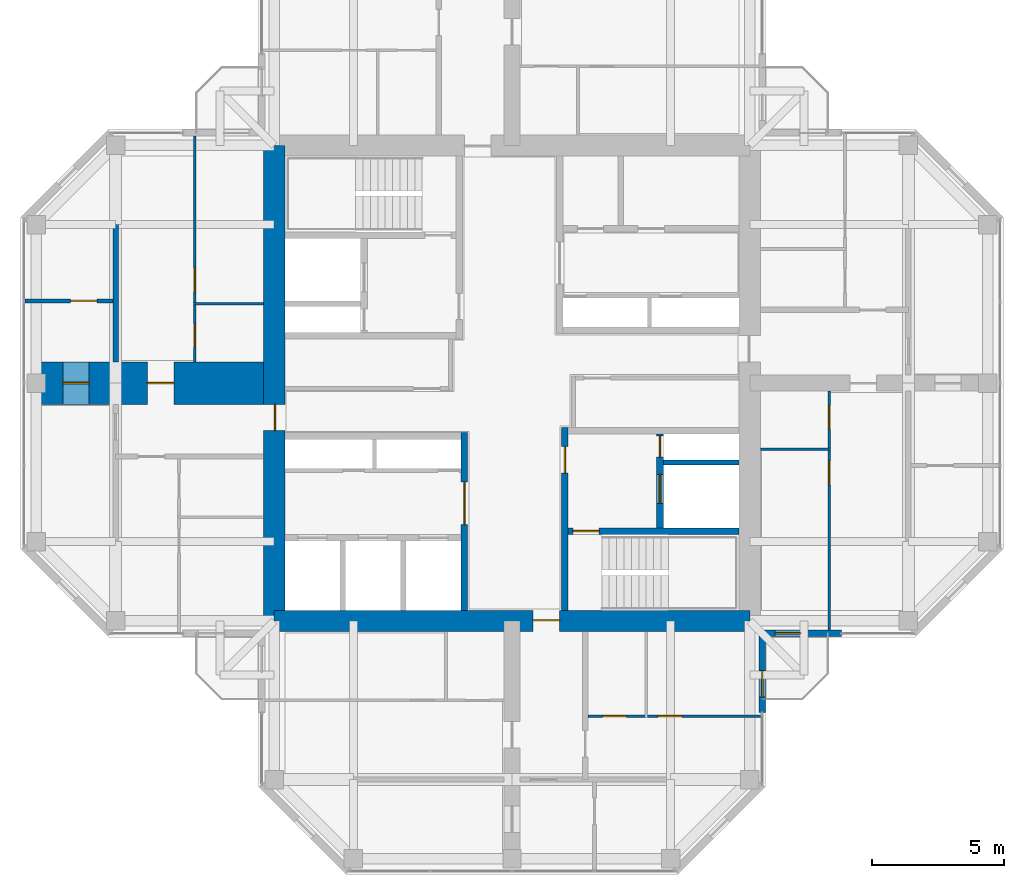
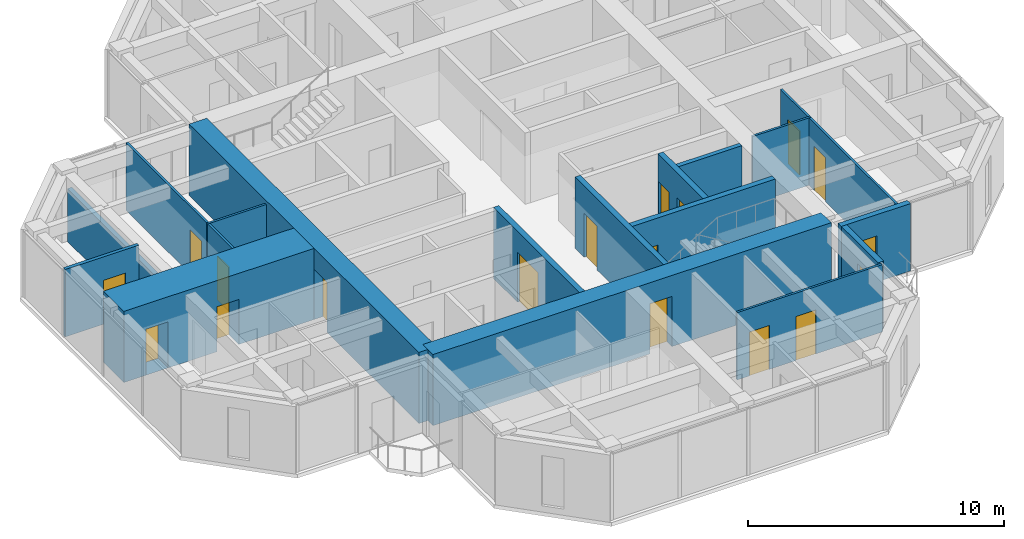
# One storey, part 9 of 13: 18 doors, 17 walls, 18 openings.
"""IFC4 building model written with IfcOpenShell, lengths in metres."""

from ifc_helpers import new_model, si_unit, direction, frame, frame_2d, origin, place, context, subcontext, project, spatial, rectangle, hollow_rectangle, extrude, material, layer, layer_set, constituent, constituent_set, type_object, element, fill, save


model = new_model("IFC4")

# Units and contexts
model_context = context("Model", 3, precision=1e-05, world=origin(), true_north=direction((0.0, 1.0)))
body_context = subcontext(model_context, "Body", "Model", "MODEL_VIEW")
ifc_project = project(units=[si_unit("LENGTHUNIT", "METRE"), si_unit("AREAUNIT", "SQUARE_METRE"), si_unit("VOLUMEUNIT", "CUBIC_METRE"), si_unit("PLANEANGLEUNIT", "RADIAN"), si_unit("MASSUNIT", "GRAM", prefix="KILO")], contexts=[model_context])

# Site, building, storey
site_placement = place(None, origin())
site = spatial("IfcSite", under=ifc_project, at=site_placement, CompositionType="ELEMENT")
building_placement = place(site_placement, origin())
building = spatial("IfcBuilding", under=site, at=building_placement, Name="Torre Cruceta", CompositionType="ELEMENT")
storey_placement = place(building_placement, frame((0.0, 0.0, 261.10009765625)))
storey = spatial("IfcBuildingStorey", under=building, at=storey_placement, Name="L67", CompositionType="ELEMENT", Elevation=261.10009765625)

# Wall
ifc_material_1 = material(Name="Water-resistant plasterboard on steel studs", Category="steel")
ifc_layer_1 = layer(ifc_material_1, 0.10009765625)
ifc_layer_set_1 = layer_set([ifc_layer_1], Name="Water-resistant plasterboard on steel studs")
wall_type_1 = type_object("IfcWallType", Name="BATHROOM WALL 100", PredefinedType="PARTITIONING", material=ifc_layer_set_1)
wall_1_placement = place(storey_placement, frame((9.39990234375, -2.5, 0.0), z_axis=(0.0, 0.0, 1.0), x_axis=(1.0, 0.0, 0.0)))
element("IfcWall", 1, at=wall_1_placement, inside=storey, type_object=wall_type_1, Name="PT4 L67-E-U1RBB", PredefinedType="PARTITIONING", context=body_context, shape_type="SweptSolid", body=[
    extrude(rectangle(XDim=2.650146484375, YDim=0.10009765625, at=frame_2d((1.3251953125, 0.0))), origin(), (0.0, 0.0, 1.0), 3.219970703125),
])

# Wall, openings, doors
wall_2_placement = place(storey_placement, frame((12.0, -9.344970703125, 0.0), z_axis=(0.0, 0.0, 1.0), x_axis=(0.0, 1.0, 0.0)))
wall_2 = element("IfcWall", 2, at=wall_2_placement, inside=storey, type_object=wall_type_1, Name="PT4 L67-E-U1RBS", PredefinedType="PARTITIONING", context=body_context, shape_type="SweptSolid", body=[
    extrude(rectangle(XDim=9.044921875, YDim=0.10009765625, at=frame_2d((4.5224609375, 0.0))), origin(), (0.0, 0.0, 1.0), 3.219970703125),
])
opening_1_placement = place(wall_2_placement, frame((5.4951171875, 0.0, 0.0)))
opening_1 = element("IfcOpeningElement", 3, at=opening_1_placement, cuts=wall_2, Name="Opening D7", PredefinedType="OPENING", context=body_context, shape_type="SweptSolid", body=[
    extrude(rectangle(XDim=0.89990234375, YDim=2.10009765625, at=frame_2d((0.449951171875, 1.050048828125))), frame((0.0, 0.06005859375, 0.0), z_axis=(0.0, -1.0, 0.0), x_axis=(1.0, 0.0, 0.0)), (0.0, 0.0, 1.0), 0.1201171875),
])
opening_2_placement = place(wall_2_placement, frame((7.594970703125, 0.0, 0.0)))
opening_2 = element("IfcOpeningElement", 4, at=opening_2_placement, cuts=wall_2, Name="Opening D7", PredefinedType="OPENING", context=body_context, shape_type="SweptSolid", body=[
    extrude(rectangle(XDim=0.89990234375, YDim=2.10009765625, at=frame_2d((0.449951171875, 1.050048828125))), frame((0.0, 0.06005859375, 0.0), z_axis=(0.0, -1.0, 0.0), x_axis=(1.0, 0.0, 0.0)), (0.0, 0.0, 1.0), 0.1201171875),
])
ifc_material_2 = material(Name="Timber door", Category="wood")
door_type_1 = type_object("IfcDoorType", Name="BATHROOM DOOR 900X2100", OperationType="SINGLE_SWING_LEFT", PredefinedType="DOOR", material=ifc_material_2)
door_1_placement = place(opening_1_placement, origin())
door_1 = element("IfcDoor", 5, at=door_1_placement, inside=storey, type_object=door_type_1, Name="D7 L67-E-U1RBS-D1", OperationType="SINGLE_SWING_RIGHT", OverallHeight=2.10009765625, OverallWidth=0.89990234375, PredefinedType="DOOR", context=body_context, shape_type="SweptSolid", body=[
    extrude(rectangle(XDim=0.89990234375, YDim=2.10009765625, at=frame_2d((0.449951171875, 1.050048828125))), frame((0.0, 0.02490234375, 0.0), z_axis=(0.0, -1.0, 0.0), x_axis=(1.0, 0.0, 0.0)), (0.0, 0.0, 1.0), 0.050048828125),
])
fill(opening_1, door_1)
door_2_placement = place(opening_2_placement, origin())
door_2 = element("IfcDoor", 6, at=door_2_placement, inside=storey, type_object=door_type_1, Name="D7 L67-E-U1RBS-D2", OperationType="SINGLE_SWING_RIGHT", OverallHeight=2.10009765625, OverallWidth=0.89990234375, PredefinedType="DOOR", context=body_context, shape_type="SweptSolid", body=[
    extrude(rectangle(XDim=0.89990234375, YDim=2.10009765625, at=frame_2d((0.449951171875, 1.050048828125))), frame((0.0, 0.02490234375, 0.0), z_axis=(0.0, -1.0, 0.0), x_axis=(1.0, 0.0, 0.0)), (0.0, 0.0, 1.0), 0.050048828125),
])
fill(opening_2, door_2)

wall_3_placement = place(storey_placement, frame((2.875, -12.60009765625, 0.0), z_axis=(0.0, 0.0, 1.0), x_axis=(1.0, 0.0, 0.0)))
wall_3 = element("IfcWall", 7, at=wall_3_placement, inside=storey, type_object=wall_type_1, Name="PT4 L67-S-U1LBS", PredefinedType="PARTITIONING", context=body_context, shape_type="SweptSolid", body=[
    extrude(rectangle(XDim=6.554931640625, YDim=0.10009765625, at=frame_2d((3.27734375, 0.0))), origin(), (0.0, 0.0, 1.0), 3.219970703125),
])
opening_3_placement = place(wall_3_placement, frame((0.550048828125, 0.0, 0.0)))
opening_3 = element("IfcOpeningElement", 8, at=opening_3_placement, cuts=wall_3, Name="Opening D7", PredefinedType="OPENING", context=body_context, shape_type="SweptSolid", body=[
    extrude(rectangle(XDim=0.89990234375, YDim=2.10009765625, at=frame_2d((0.449951171875, 1.050048828125))), frame((0.0, 0.06005859375, 0.0), z_axis=(0.0, -1.0, 0.0), x_axis=(1.0, 0.0, 0.0)), (0.0, 0.0, 1.0), 0.1201171875),
])
opening_4_placement = place(wall_3_placement, frame((2.64990234375, 0.0, 0.0)))
opening_4 = element("IfcOpeningElement", 9, at=opening_4_placement, cuts=wall_3, Name="Opening D7", PredefinedType="OPENING", context=body_context, shape_type="SweptSolid", body=[
    extrude(rectangle(XDim=0.89990234375, YDim=2.10009765625, at=frame_2d((0.449951171875, 1.050048828125))), frame((0.0, 0.06005859375, 0.0), z_axis=(0.0, -1.0, 0.0), x_axis=(1.0, 0.0, 0.0)), (0.0, 0.0, 1.0), 0.1201171875),
])
door_3_placement = place(opening_3_placement, origin())
door_3 = element("IfcDoor", 10, at=door_3_placement, inside=storey, type_object=door_type_1, Name="D7 L67-S-U1LBS-D1", OperationType="SINGLE_SWING_LEFT", OverallHeight=2.10009765625, OverallWidth=0.89990234375, PredefinedType="DOOR", context=body_context, shape_type="SweptSolid", body=[
    extrude(rectangle(XDim=0.89990234375, YDim=2.10009765625, at=frame_2d((0.449951171875, 1.050048828125))), frame((0.0, 0.02490234375, 0.0), z_axis=(0.0, -1.0, 0.0), x_axis=(1.0, 0.0, 0.0)), (0.0, 0.0, 1.0), 0.050048828125),
])
fill(opening_3, door_3)
door_4_placement = place(opening_4_placement, origin())
door_4 = element("IfcDoor", 11, at=door_4_placement, inside=storey, type_object=door_type_1, Name="D7 L67-S-U1LBS-D2", OperationType="SINGLE_SWING_LEFT", OverallHeight=2.10009765625, OverallWidth=0.89990234375, PredefinedType="DOOR", context=body_context, shape_type="SweptSolid", body=[
    extrude(rectangle(XDim=0.89990234375, YDim=2.10009765625, at=frame_2d((0.449951171875, 1.050048828125))), frame((0.0, 0.02490234375, 0.0), z_axis=(0.0, -1.0, 0.0), x_axis=(1.0, 0.0, 0.0)), (0.0, 0.0, 1.0), 0.050048828125),
])
fill(opening_4, door_4)

# Wall
wall_4_placement = place(storey_placement, frame((-9.39990234375, 3.0, 0.0), z_axis=(0.0, 0.0, 1.0), x_axis=(-1.0, 0.0, 0.0)))
element("IfcWall", 12, at=wall_4_placement, inside=storey, type_object=wall_type_1, Name="PT4 L67-W-U1RBB", PredefinedType="PARTITIONING", context=body_context, shape_type="SweptSolid", body=[
    extrude(rectangle(XDim=2.650146484375, YDim=0.10009765625, at=frame_2d((1.3251953125, 0.0))), origin(), (0.0, 0.0, 1.0), 3.219970703125),
])

# Wall, openings, doors
wall_5_placement = place(storey_placement, frame((-12.0, 9.344970703125, 0.0), z_axis=(0.0, 0.0, 1.0), x_axis=(0.0, -1.0, 0.0)))
wall_5 = element("IfcWall", 13, at=wall_5_placement, inside=storey, type_object=wall_type_1, Name="PT4 L67-W-U1RBS", PredefinedType="PARTITIONING", context=body_context, shape_type="SweptSolid", body=[
    extrude(rectangle(XDim=8.544921875, YDim=0.10009765625, at=frame_2d((4.2724609375, 0.0))), origin(), (0.0, 0.0, 1.0), 3.219970703125),
])
opening_5_placement = place(wall_5_placement, frame((4.9951171875, 0.0, 0.0)))
opening_5 = element("IfcOpeningElement", 14, at=opening_5_placement, cuts=wall_5, Name="Opening D7", PredefinedType="OPENING", context=body_context, shape_type="SweptSolid", body=[
    extrude(rectangle(XDim=0.89990234375, YDim=2.10009765625, at=frame_2d((0.449951171875, 1.050048828125))), frame((0.0, 0.06005859375, 0.0), z_axis=(0.0, -1.0, 0.0), x_axis=(1.0, 0.0, 0.0)), (0.0, 0.0, 1.0), 0.1201171875),
])
opening_6_placement = place(wall_5_placement, frame((7.094970703125, 0.0, 0.0)))
opening_6 = element("IfcOpeningElement", 15, at=opening_6_placement, cuts=wall_5, Name="Opening D7", PredefinedType="OPENING", context=body_context, shape_type="SweptSolid", body=[
    extrude(rectangle(XDim=0.89990234375, YDim=2.10009765625, at=frame_2d((0.449951171875, 1.050048828125))), frame((0.0, 0.06005859375, 0.0), z_axis=(0.0, -1.0, 0.0), x_axis=(1.0, 0.0, 0.0)), (0.0, 0.0, 1.0), 0.1201171875),
])
door_5_placement = place(opening_5_placement, origin())
door_5 = element("IfcDoor", 16, at=door_5_placement, inside=storey, type_object=door_type_1, Name="D7 L67-W-U1RBS-D1", OperationType="SINGLE_SWING_RIGHT", OverallHeight=2.10009765625, OverallWidth=0.89990234375, PredefinedType="DOOR", context=body_context, shape_type="SweptSolid", body=[
    extrude(rectangle(XDim=0.89990234375, YDim=2.10009765625, at=frame_2d((0.449951171875, 1.050048828125))), frame((0.0, 0.02490234375, 0.0), z_axis=(0.0, -1.0, 0.0), x_axis=(1.0, 0.0, 0.0)), (0.0, 0.0, 1.0), 0.050048828125),
])
fill(opening_5, door_5)
door_6_placement = place(opening_6_placement, origin())
door_6 = element("IfcDoor", 17, at=door_6_placement, inside=storey, type_object=door_type_1, Name="D7 L67-W-U1RBS-D2", OperationType="SINGLE_SWING_RIGHT", OverallHeight=2.10009765625, OverallWidth=0.89990234375, PredefinedType="DOOR", context=body_context, shape_type="SweptSolid", body=[
    extrude(rectangle(XDim=0.89990234375, YDim=2.10009765625, at=frame_2d((0.449951171875, 1.050048828125))), frame((0.0, 0.02490234375, 0.0), z_axis=(0.0, -1.0, 0.0), x_axis=(1.0, 0.0, 0.0)), (0.0, 0.0, 1.0), 0.050048828125),
])
fill(opening_6, door_6)

# Wall, opening, door
ifc_material_3 = material(Name="Concrete G60 (fck 60 MPa)", Category="concrete")
ifc_layer_2 = layer(ifc_material_3, 0.25)
ifc_layer_set_2 = layer_set([ifc_layer_2], Name="Concrete G60 (fck 60 MPa)")
wall_type_2 = type_object("IfcWallType", Name="CORE INNER WALL 250 G60", PredefinedType="SHEAR", material=ifc_layer_set_2)
wall_6_placement = place(storey_placement, frame((-1.800048828125, -1.875, 0.0), z_axis=(0.0, 0.0, 1.0), x_axis=(0.0, -1.0, 0.0)))
wall_6 = element("IfcWall", 18, at=wall_6_placement, inside=storey, type_object=wall_type_2, Name="CW4 L67 SW-CU", PredefinedType="SHEAR", context=body_context, shape_type="SweptSolid", body=[
    extrude(rectangle(XDim=6.72509765625, YDim=0.25, at=frame_2d((3.362548828125, 0.0))), origin(), (0.0, 0.0, 1.0), 3.39990234375),
])
opening_7_placement = place(wall_6_placement, frame((1.875, 0.0, 0.0)))
opening_7 = element("IfcOpeningElement", 19, at=opening_7_placement, cuts=wall_6, Name="Opening D8", PredefinedType="OPENING", context=body_context, shape_type="SweptSolid", body=[
    extrude(rectangle(XDim=1.60009765625, YDim=2.39990234375, at=frame_2d((0.800048828125, 1.199951171875))), frame((0.0, 0.135009765625, 0.0), z_axis=(0.0, -1.0, 0.0), x_axis=(1.0, 0.0, 0.0)), (0.0, 0.0, 1.0), 0.27001953125),
])
ifc_material_4 = material(Name="Steel DX51D", Category="steel")
ifc_constituent_1 = constituent(ifc_material_4, Name="Leaf and frame")
ifc_material_5 = material(Name="Polyester powder coating", Category="paint")
ifc_constituent_2 = constituent(ifc_material_5, Name="Finish")
ifc_material_6 = material(Name="Fire-resisting glass", Category="glass")
ifc_constituent_3 = constituent(ifc_material_6, Name="Vision panel")
ifc_constituent_set_1 = constituent_set(constituents=[ifc_constituent_1, ifc_constituent_2, ifc_constituent_3], Name="Steel fire door with vision panels")
door_type_2 = type_object("IfcDoorType", Name="LIFT LOBBY DOUBLE DOOR 1600X2400", OperationType="DOUBLE_DOOR_DOUBLE_SWING", PredefinedType="DOOR", material=ifc_constituent_set_1)
door_7_placement = place(opening_7_placement, origin())
door_7 = element("IfcDoor", 20, at=door_7_placement, inside=storey, type_object=door_type_2, Name="D8 L67 SW-LOBBY", OperationType="DOUBLE_DOOR_DOUBLE_SWING", OverallHeight=2.39990234375, OverallWidth=1.60009765625, PredefinedType="DOOR", context=body_context, shape_type="SweptSolid", body=[
    extrude(rectangle(XDim=1.60009765625, YDim=2.39990234375, at=frame_2d((0.800048828125, 1.199951171875))), frame((0.0, 0.02490234375, 0.0), z_axis=(0.0, -1.0, 0.0), x_axis=(1.0, 0.0, 0.0)), (0.0, 0.0, 1.0), 0.050048828125),
])
fill(opening_7, door_7)

wall_7_placement = place(storey_placement, frame((2.0, -1.675048828125, 0.0), z_axis=(0.0, 0.0, 1.0), x_axis=(0.0, -1.0, 0.0)))
wall_7 = element("IfcWall", 21, at=wall_7_placement, inside=storey, type_object=wall_type_2, Name="CW4 L67 SE-CU", PredefinedType="SHEAR", context=body_context, shape_type="SweptSolid", body=[
    extrude(rectangle(XDim=6.925048828125, YDim=0.25, at=frame_2d((3.46240234375, 0.0))), origin(), (0.0, 0.0, 1.0), 3.39990234375),
])
opening_8_placement = place(wall_7_placement, frame((0.72509765625, 0.0, 0.0)))
opening_8 = element("IfcOpeningElement", 22, at=opening_8_placement, cuts=wall_7, Name="Opening D3", PredefinedType="OPENING", context=body_context, shape_type="SweptSolid", body=[
    extrude(rectangle(XDim=1.0, YDim=2.10009765625, at=frame_2d((0.5, 1.050048828125))), frame((0.0, 0.135009765625, 0.0), z_axis=(0.0, -1.0, 0.0), x_axis=(1.0, 0.0, 0.0)), (0.0, 0.0, 1.0), 0.27001953125),
])
ifc_material_7 = material(Name="Steel DX51D", Category="steel")
ifc_constituent_4 = constituent(ifc_material_7, Name="Leaf and frame")
ifc_material_8 = material(Name="Polyester powder coating", Category="paint")
ifc_constituent_5 = constituent(ifc_material_8, Name="Finish")
ifc_constituent_set_2 = constituent_set(constituents=[ifc_constituent_4, ifc_constituent_5], Name="Steel fire door")
door_type_3 = type_object("IfcDoorType", Name="FIRE DOOR 1000X2100", OperationType="SINGLE_SWING_LEFT", PredefinedType="DOOR", material=ifc_constituent_set_2)
door_8_placement = place(opening_8_placement, origin())
door_8 = element("IfcDoor", 23, at=door_8_placement, inside=storey, type_object=door_type_3, Name="D3 L67 SE-LOBBY", OperationType="SINGLE_SWING_LEFT", OverallHeight=2.10009765625, OverallWidth=1.0, PredefinedType="DOOR", context=body_context, shape_type="SweptSolid", body=[
    extrude(rectangle(XDim=1.0, YDim=2.10009765625, at=frame_2d((0.5, 1.050048828125))), frame((0.0, 0.02490234375, 0.0), z_axis=(0.0, -1.0, 0.0), x_axis=(1.0, 0.0, 0.0)), (0.0, 0.0, 1.0), 0.050048828125),
])
fill(opening_8, door_8)

wall_8_placement = place(storey_placement, frame((2.125, -5.60009765625, 0.0), z_axis=(0.0, 0.0, 1.0), x_axis=(1.0, 0.0, 0.0)))
wall_8 = element("IfcWall", 24, at=wall_8_placement, inside=storey, type_object=wall_type_2, Name="CW4 L67 SE-SV", PredefinedType="SHEAR", context=body_context, shape_type="SweptSolid", body=[
    extrude(rectangle(XDim=6.47509765625, YDim=0.25, at=frame_2d((3.237548828125, 0.0))), origin(), (0.0, 0.0, 1.0), 3.39990234375),
])
opening_9_placement = place(wall_8_placement, frame((0.175048828125, 0.0, 0.0)))
opening_9 = element("IfcOpeningElement", 25, at=opening_9_placement, cuts=wall_8, Name="Opening D3", PredefinedType="OPENING", context=body_context, shape_type="SweptSolid", body=[
    extrude(rectangle(XDim=1.0, YDim=2.10009765625, at=frame_2d((0.5, 1.050048828125))), frame((0.0, 0.135009765625, 0.0), z_axis=(0.0, -1.0, 0.0), x_axis=(1.0, 0.0, 0.0)), (0.0, 0.0, 1.0), 0.27001953125),
])
door_9_placement = place(opening_9_placement, frame((1.0, 0.0, 0.0), z_axis=(0.0, 0.0, 1.0), x_axis=(-1.0, 0.0, 0.0)))
door_9 = element("IfcDoor", 26, at=door_9_placement, inside=storey, type_object=door_type_3, Name="D3 L67 SE-STAIR", OperationType="SINGLE_SWING_RIGHT", OverallHeight=2.10009765625, OverallWidth=1.0, PredefinedType="DOOR", context=body_context, shape_type="SweptSolid", body=[
    extrude(rectangle(XDim=1.0, YDim=2.10009765625, at=frame_2d((0.5, 1.050048828125))), frame((0.0, 0.025146484375, 0.0), z_axis=(0.0, -1.0, 0.0), x_axis=(1.0, 0.0, 0.0)), (0.0, 0.0, 1.0), 0.050048828125),
])
fill(opening_9, door_9)

# Wall, openings, doors
wall_9_placement = place(storey_placement, frame((5.60009765625, -1.925048828125, 0.0), z_axis=(0.0, 0.0, 1.0), x_axis=(0.0, -1.0, 0.0)))
wall_9 = element("IfcWall", 27, at=wall_9_placement, inside=storey, type_object=wall_type_2, Name="CW4 L67 SE-FU", PredefinedType="SHEAR", context=body_context, shape_type="SweptSolid", body=[
    extrude(rectangle(XDim=3.550048828125, YDim=0.25, at=frame_2d((1.77490234375, 0.0))), origin(), (0.0, 0.0, 1.0), 3.39990234375),
])
opening_10_placement = place(wall_9_placement, frame((1.52490234375, 0.0, 0.0)))
opening_10 = element("IfcOpeningElement", 28, at=opening_10_placement, cuts=wall_9, Name="Opening LD1", PredefinedType="OPENING", context=body_context, shape_type="SweptSolid", body=[
    extrude(rectangle(XDim=1.10009765625, YDim=2.199951171875, at=frame_2d((0.550048828125, 1.10009765625))), frame((0.0, 0.135009765625, 0.0), z_axis=(0.0, -1.0, 0.0), x_axis=(1.0, 0.0, 0.0)), (0.0, 0.0, 1.0), 0.27001953125),
])
opening_11_placement = place(wall_9_placement, frame((0.074951171875, 0.0, 0.0)))
opening_11 = element("IfcOpeningElement", 29, at=opening_11_placement, cuts=wall_9, Name="Opening D5", PredefinedType="OPENING", context=body_context, shape_type="SweptSolid", body=[
    extrude(rectangle(XDim=0.800048828125, YDim=2.10009765625, at=frame_2d((0.39990234375, 1.050048828125))), frame((0.0, 0.135009765625, 0.0), z_axis=(0.0, -1.0, 0.0), x_axis=(1.0, 0.0, 0.0)), (0.0, 0.0, 1.0), 0.27001953125),
])
ifc_material_9 = material(Name="Stainless steel 1.4401", Category="steel")
door_type_4 = type_object("IfcDoorType", Name="LIFT LANDING DOOR 1100X2200", OperationType="DOUBLE_DOOR_SLIDING", PredefinedType="DOOR", material=ifc_material_9)
door_10_placement = place(opening_10_placement, origin())
door_10 = element("IfcDoor", 30, at=door_10_placement, inside=storey, type_object=door_type_4, Name="Lift landing door FL2", OperationType="DOUBLE_DOOR_SLIDING", OverallHeight=2.199951171875, OverallWidth=1.10009765625, PredefinedType="DOOR", context=body_context, shape_type="SweptSolid", body=[
    extrude(rectangle(XDim=1.10009765625, YDim=2.199951171875, at=frame_2d((0.550048828125, 1.10009765625))), frame((0.0, 0.02490234375, 0.0), z_axis=(0.0, -1.0, 0.0), x_axis=(1.0, 0.0, 0.0)), (0.0, 0.0, 1.0), 0.050048828125),
])
fill(opening_10, door_10)
ifc_material_10 = material(Name="Steel DX51D", Category="steel")
ifc_constituent_6 = constituent(ifc_material_10, Name="Leaf and frame")
ifc_material_11 = material(Name="Polyester powder coating", Category="paint")
ifc_constituent_7 = constituent(ifc_material_11, Name="Finish")
ifc_constituent_set_3 = constituent_set(constituents=[ifc_constituent_6, ifc_constituent_7], Name="Steel fire door")
door_type_5 = type_object("IfcDoorType", Name="RISER ACCESS DOOR 800X2100", OperationType="SINGLE_SWING_LEFT", PredefinedType="DOOR", material=ifc_constituent_set_3)
door_11_placement = place(opening_11_placement, origin())
door_11 = element("IfcDoor", 31, at=door_11_placement, inside=storey, type_object=door_type_5, Name="D5 L67 SE-RISER", OperationType="SINGLE_SWING_LEFT", OverallHeight=2.10009765625, OverallWidth=0.800048828125, PredefinedType="DOOR", context=body_context, shape_type="SweptSolid", body=[
    extrude(rectangle(XDim=0.800048828125, YDim=2.10009765625, at=frame_2d((0.39990234375, 1.050048828125))), frame((0.0, 0.02490234375, 0.0), z_axis=(0.0, -1.0, 0.0), x_axis=(1.0, 0.0, 0.0)), (0.0, 0.0, 1.0), 0.050048828125),
])
fill(opening_11, door_11)

# Wall, opening, door
ifc_material_12 = material(Name="Concrete G60 (fck 60 MPa)", Category="concrete")
ifc_layer_3 = layer(ifc_material_12, 0.800048828125)
ifc_layer_set_3 = layer_set([ifc_layer_3], Name="Concrete G60 (fck 60 MPa)")
wall_type_3 = type_object("IfcWallType", Name="CORE WALL 800 G60", PredefinedType="SHEAR", material=ifc_layer_set_3)
wall_10_placement = place(storey_placement, frame((-9.0, -9.0, 0.0), z_axis=(0.0, 0.0, 1.0), x_axis=(1.0, 0.0, 0.0)))
wall_10 = element("IfcWall", 32, at=wall_10_placement, inside=storey, type_object=wall_type_3, Name="CW3 L67 CW-S", PredefinedType="SHEAR", context=body_context, shape_type="SweptSolid", body=[
    extrude(rectangle(XDim=18.0, YDim=0.800048828125, at=frame_2d((9.0, 0.0))), origin(), (0.0, 0.0, 1.0), 3.39990234375),
])
opening_12_placement = place(wall_10_placement, frame((9.800048828125, 0.0, 0.0)))
opening_12 = element("IfcOpeningElement", 33, at=opening_12_placement, cuts=wall_10, Name="Opening D4", PredefinedType="OPENING", context=body_context, shape_type="SweptSolid", body=[
    extrude(rectangle(XDim=1.0, YDim=2.39990234375, at=frame_2d((0.5, 1.199951171875))), frame((0.0, 0.409912109375, 0.0), z_axis=(0.0, -1.0, 0.0), x_axis=(1.0, 0.0, 0.0)), (0.0, 0.0, 1.0), 0.820068359375),
])
ifc_material_13 = material(Name="Steel DX51D", Category="steel")
ifc_constituent_8 = constituent(ifc_material_13, Name="Leaf and frame")
ifc_material_14 = material(Name="Polyester powder coating", Category="paint")
ifc_constituent_9 = constituent(ifc_material_14, Name="Finish")
ifc_constituent_set_4 = constituent_set(constituents=[ifc_constituent_8, ifc_constituent_9], Name="Steel fire door")
door_type_6 = type_object("IfcDoorType", Name="CORE ARM DOOR 1000X2400", OperationType="SINGLE_SWING_RIGHT", PredefinedType="DOOR", material=ifc_constituent_set_4)
door_12_placement = place(opening_12_placement, origin())
door_12 = element("IfcDoor", 34, at=door_12_placement, inside=storey, type_object=door_type_6, Name="D4 L67 CW-S", OperationType="SINGLE_SWING_RIGHT", OverallHeight=2.39990234375, OverallWidth=1.0, PredefinedType="DOOR", context=body_context, shape_type="SweptSolid", body=[
    extrude(rectangle(XDim=1.0, YDim=2.39990234375, at=frame_2d((0.5, 1.199951171875))), frame((0.0, 0.05517578125, 0.0), z_axis=(0.0, -1.0, 0.0), x_axis=(1.0, 0.0, 0.0)), (0.0, 0.0, 1.0), 0.050048828125),
])
fill(opening_12, door_12)

wall_11_placement = place(storey_placement, frame((-9.0, 9.0, 0.0), z_axis=(0.0, 0.0, 1.0), x_axis=(0.0, -1.0, 0.0)))
wall_11 = element("IfcWall", 35, at=wall_11_placement, inside=storey, type_object=wall_type_3, Name="CW3 L67 CW-W", PredefinedType="SHEAR", context=body_context, shape_type="SweptSolid", body=[
    extrude(rectangle(XDim=18.0, YDim=0.800048828125, at=frame_2d((9.0, 0.0))), origin(), (0.0, 0.0, 1.0), 3.39990234375),
])
opening_13_placement = place(wall_11_placement, frame((9.800048828125, 0.0, 0.0)))
opening_13 = element("IfcOpeningElement", 36, at=opening_13_placement, cuts=wall_11, Name="Opening D4", PredefinedType="OPENING", context=body_context, shape_type="SweptSolid", body=[
    extrude(rectangle(XDim=1.0, YDim=2.39990234375, at=frame_2d((0.5, 1.199951171875))), frame((0.0, 0.409912109375, 0.0), z_axis=(0.0, -1.0, 0.0), x_axis=(1.0, 0.0, 0.0)), (0.0, 0.0, 1.0), 0.820068359375),
])
door_13_placement = place(opening_13_placement, origin())
door_13 = element("IfcDoor", 37, at=door_13_placement, inside=storey, type_object=door_type_6, Name="D4 L67 CW-W", OperationType="SINGLE_SWING_RIGHT", OverallHeight=2.39990234375, OverallWidth=1.0, PredefinedType="DOOR", context=body_context, shape_type="SweptSolid", body=[
    extrude(rectangle(XDim=1.0, YDim=2.39990234375, at=frame_2d((0.5, 1.199951171875))), frame((0.0, 0.05517578125, 0.0), z_axis=(0.0, -1.0, 0.0), x_axis=(1.0, 0.0, 0.0)), (0.0, 0.0, 1.0), 0.050048828125),
])
fill(opening_13, door_13)

# Wall
ifc_material_15 = material(Name="Concrete G35 (fck 35 MPa)", Category="concrete")
ifc_layer_4 = layer(ifc_material_15, 0.199951171875)
ifc_layer_set_4 = layer_set([ifc_layer_4], Name="Concrete G35 (fck 35 MPa)")
wall_type_4 = type_object("IfcWallType", Name="LIFT SHAFT WALL 200", PredefinedType="PARTITIONING", material=ifc_layer_set_4)
wall_12_placement = place(storey_placement, frame((5.72509765625, -3.0, 0.0), z_axis=(0.0, 0.0, 1.0), x_axis=(1.0, 0.0, 0.0)))
element("IfcWall", 38, at=wall_12_placement, inside=storey, type_object=wall_type_4, Name="SW1 L67 SE-FR", PredefinedType="PARTITIONING", context=body_context, shape_type="SweptSolid", body=[
    extrude(rectangle(XDim=2.875, YDim=0.199951171875, at=frame_2d((1.4375, 0.0))), origin(), (0.0, 0.0, 1.0), 3.39990234375),
])

# Wall, opening, door
ifc_material_16 = material(Name="Plasterboard on steel studs", Category="steel")
ifc_layer_5 = layer(ifc_material_16, 0.14990234375)
ifc_layer_set_5 = layer_set([ifc_layer_5], Name="Plasterboard on steel studs")
wall_type_5 = type_object("IfcWallType", Name="PARTITION 150", PredefinedType="PARTITIONING", material=ifc_layer_set_5)
wall_13_placement = place(storey_placement, frame((-15.10009765625, 3.117919921875, 0.0), z_axis=(0.0, 0.0, 1.0), x_axis=(-1.0, 0.0, 0.0)))
wall_13 = element("IfcWall", 39, at=wall_13_placement, inside=storey, type_object=wall_type_5, Name="PT1 L67-W-END2X", PredefinedType="PARTITIONING", context=body_context, shape_type="SweptSolid", body=[
    extrude(rectangle(XDim=3.329833984375, YDim=0.14990234375, at=frame_2d((1.6650390625, 0.0))), origin(), (0.0, 0.0, 1.0), 3.219970703125),
])
opening_14_placement = place(wall_13_placement, frame((0.60009765625, 0.0, 0.0)))
opening_14 = element("IfcOpeningElement", 40, at=opening_14_placement, cuts=wall_13, Name="Opening D3", PredefinedType="OPENING", context=body_context, shape_type="SweptSolid", body=[
    extrude(rectangle(XDim=1.0, YDim=2.10009765625, at=frame_2d((0.5, 1.050048828125))), frame((0.0, 0.0849609375, 0.0), z_axis=(0.0, -1.0, 0.0), x_axis=(1.0, 0.0, 0.0)), (0.0, 0.0, 1.0), 0.169921875),
])
door_14_placement = place(opening_14_placement, origin())
door_14 = element("IfcDoor", 41, at=door_14_placement, inside=storey, type_object=door_type_3, Name="D3 L67-W-END2X-D1", OperationType="SINGLE_SWING_LEFT", OverallHeight=2.10009765625, OverallWidth=1.0, PredefinedType="DOOR", context=body_context, shape_type="SweptSolid", body=[
    extrude(rectangle(XDim=1.0, YDim=2.10009765625, at=frame_2d((0.5, 1.050048828125))), frame((0.0, 0.02490234375, 0.0), z_axis=(0.0, -1.0, 0.0), x_axis=(1.0, 0.0, 0.0)), (0.0, 0.0, 1.0), 0.050048828125),
])
fill(opening_14, door_14)

# Wall, openings, doors
ifc_material_17 = material(Name="Concrete G60 (fck 60 MPa)", Category="concrete")
ifc_layer_6 = layer(ifc_material_17, 1.60009765625)
ifc_layer_set_6 = layer_set([ifc_layer_6], Name="Concrete G60 (fck 60 MPa)")
wall_type_6 = type_object("IfcWallType", Name="SPINE WALL 1600 G60", PredefinedType="SHEAR", material=ifc_layer_set_6)
wall_14_placement = place(storey_placement, frame((-9.0, 0.0, 0.0), z_axis=(0.0, 0.0, 1.0), x_axis=(-1.0, 0.0, 0.0)))
wall_14 = element("IfcWall", 42, at=wall_14_placement, inside=storey, type_object=wall_type_6, Name="SW2 spine wall L67 W", PredefinedType="SHEAR", context=body_context, shape_type="SweptSolid", body=[
    extrude(rectangle(XDim=9.0, YDim=1.60009765625, at=frame_2d((4.5, 0.0))), origin(), (0.0, 0.0, 1.0), 3.39990234375),
])
opening_15_placement = place(wall_14_placement, frame((3.800048828125, 0.0, 0.0)))
opening_15 = element("IfcOpeningElement", 43, at=opening_15_placement, cuts=wall_14, Name="Opening D6", PredefinedType="OPENING", context=body_context, shape_type="SweptSolid", body=[
    extrude(rectangle(XDim=1.0, YDim=2.14990234375, at=frame_2d((0.5, 1.074951171875))), frame((0.0, 0.81005859375, 0.0), z_axis=(0.0, -1.0, 0.0), x_axis=(1.0, 0.0, 0.0)), (0.0, 0.0, 1.0), 1.6201171875),
])
opening_16_placement = place(wall_14_placement, frame((7.0, 0.0, 0.0)))
opening_16 = element("IfcOpeningElement", 44, at=opening_16_placement, cuts=wall_14, Name="Opening D14", PredefinedType="OPENING", context=body_context, shape_type="SweptSolid", body=[
    extrude(rectangle(XDim=1.0, YDim=2.199951171875, at=frame_2d((0.5, 1.10009765625))), frame((0.0, 0.81005859375, 0.0), z_axis=(0.0, -1.0, 0.0), x_axis=(1.0, 0.0, 0.0)), (0.0, 0.0, 1.0), 1.6201171875),
])
ifc_material_18 = material(Name="Steel DX51D", Category="steel")
ifc_constituent_10 = constituent(ifc_material_18, Name="Leaf and frame")
ifc_material_19 = material(Name="Polyester powder coating", Category="paint")
ifc_constituent_11 = constituent(ifc_material_19, Name="Finish")
ifc_material_20 = material(Name="Fire-resisting glass", Category="glass")
ifc_constituent_12 = constituent(ifc_material_20, Name="Vision panel")
ifc_constituent_set_5 = constituent_set(constituents=[ifc_constituent_10, ifc_constituent_11, ifc_constituent_12], Name="Steel fire door with vision panel")
door_type_7 = type_object("IfcDoorType", Name="FIRE DOOR VISION PANEL 1000X2200", OperationType="SINGLE_SWING_RIGHT", PredefinedType="DOOR", material=ifc_constituent_set_5)
door_15_placement = place(opening_16_placement, frame((1.0, 0.0, 0.0), z_axis=(0.0, 0.0, 1.0), x_axis=(-1.0, 0.0, 0.0)))
door_15 = element("IfcDoor", 45, at=door_15_placement, inside=storey, type_object=door_type_7, Name="D14 L67-W-SP2", OperationType="SINGLE_SWING_RIGHT", OverallHeight=2.199951171875, OverallWidth=1.0, PredefinedType="DOOR", context=body_context, shape_type="SweptSolid", body=[
    extrude(rectangle(XDim=1.0, YDim=2.199951171875, at=frame_2d((0.5, 1.10009765625))), frame((0.0, 0.025146484375, 0.0), z_axis=(0.0, -1.0, 0.0), x_axis=(1.0, 0.0, 0.0)), (0.0, 0.0, 1.0), 0.050048828125),
])
fill(opening_16, door_15)
ifc_material_21 = material(Name="Timber fire door", Category="wood")
door_type_8 = type_object("IfcDoorType", Name="UNIT ENTRANCE DOOR 1000X2150", OperationType="SINGLE_SWING_LEFT", PredefinedType="DOOR", material=ifc_material_21)
door_16_placement = place(opening_15_placement, frame((1.0, 0.0, 0.0), z_axis=(0.0, 0.0, 1.0), x_axis=(-1.0, 0.0, 0.0)))
door_16 = element("IfcDoor", 46, at=door_16_placement, inside=storey, type_object=door_type_8, Name="D6 L67-W-SP1", OperationType="SINGLE_SWING_RIGHT", OverallHeight=2.14990234375, OverallWidth=1.0, PredefinedType="DOOR", context=body_context, shape_type="SweptSolid", body=[
    extrude(rectangle(XDim=1.0, YDim=2.14990234375, at=frame_2d((0.5, 1.074951171875))), frame((0.0, 0.025146484375, 0.0), z_axis=(0.0, -1.0, 0.0), x_axis=(1.0, 0.0, 0.0)), (0.0, 0.0, 1.0), 0.050048828125),
])
fill(opening_15, door_16)

# Wall
ifc_material_22 = material(Name="Concrete G25 (fck 25 MPa)", Category="concrete")
ifc_layer_7 = layer(ifc_material_22, 0.199951171875)
ifc_layer_set_7 = layer_set([ifc_layer_7], Name="Concrete G25 (fck 25 MPa)")
wall_type_7 = type_object("IfcWallType", Name="UNIT SEPARATING WALL 200", PredefinedType="SOLIDWALL", material=ifc_layer_set_7)
wall_15_placement = place(storey_placement, frame((-15.0, 8.64990234375, 0.0), z_axis=(0.0, 0.0, 1.0), x_axis=(0.0, -1.0, 0.0)))
element("IfcWall", 47, at=wall_15_placement, inside=storey, type_object=wall_type_7, Name="PT2 L67-W-ENDa", PredefinedType="SOLIDWALL", context=body_context, shape_type="SweptSolid", body=[
    extrude(rectangle(XDim=7.849853515625, YDim=0.199951171875, at=frame_2d((3.9248046875, 0.0))), origin(), (0.0, 0.0, 1.0), 2.52001953125),
])

# Wall, opening, door
ifc_material_23 = material(Name="Concrete G30 (fck 30 MPa)", Category="concrete")
ifc_layer_8 = layer(ifc_material_23, 0.25)
ifc_layer_set_8 = layer_set([ifc_layer_8], Name="Concrete G30 (fck 30 MPa)")
wall_type_8 = type_object("IfcWallType", Name="WINTER GARDEN WALL 250", PredefinedType="SOLIDWALL", material=ifc_layer_set_8)
wall_16_placement = place(storey_placement, frame((9.344970703125, -9.469970703125, 0.0), z_axis=(0.0, 0.0, 1.0), x_axis=(1.0, 0.0, 0.0)))
wall_16 = element("IfcWall", 48, at=wall_16_placement, inside=storey, type_object=wall_type_8, Name="EW2 winter garden wall L67 00", PredefinedType="SOLIDWALL", context=body_context, shape_type="SweptSolid", body=[
    extrude(rectangle(XDim=3.125, YDim=0.25, at=frame_2d((1.5625, 0.0))), origin(), (0.0, 0.0, 1.0), 3.219970703125),
])
opening_17_placement = place(wall_16_placement, frame((0.60009765625, 0.0, 0.0)))
opening_17 = element("IfcOpeningElement", 49, at=opening_17_placement, cuts=wall_16, Name="Opening D10", PredefinedType="OPENING", context=body_context, shape_type="SweptSolid", body=[
    extrude(rectangle(XDim=1.0, YDim=2.199951171875, at=frame_2d((0.5, 1.10009765625))), frame((0.0, 0.135009765625, 0.0), z_axis=(0.0, -1.0, 0.0), x_axis=(1.0, 0.0, 0.0)), (0.0, 0.0, 1.0), 0.27001953125),
])
ifc_material_24 = material(Name="Aluminium door frame", Category="aluminium")
ifc_constituent_13 = constituent(ifc_material_24, Name="Frame")
ifc_material_25 = material(Name="Laminated safety glass", Category="glass")
ifc_constituent_14 = constituent(ifc_material_25, Name="Glazing")
ifc_constituent_set_6 = constituent_set(constituents=[ifc_constituent_13, ifc_constituent_14], Name="Aluminium glazed door")
door_type_9 = type_object("IfcDoorType", Name="BALCONY DOOR 1000X2200", OperationType="SINGLE_SWING_RIGHT", PredefinedType="DOOR", material=ifc_constituent_set_6)
door_17_placement = place(opening_17_placement, origin())
door_17 = element("IfcDoor", 50, at=door_17_placement, inside=storey, type_object=door_type_9, Name="D10 balcony door L67 00", OperationType="SINGLE_SWING_LEFT", OverallHeight=2.199951171875, OverallWidth=1.0, PredefinedType="DOOR", context=body_context, shape_type="SweptSolid", body=[
    extrude(hollow_rectangle(XDim=1.0, YDim=2.199951171875, WallThickness=0.06005859375, at=frame_2d((0.5, 1.10009765625))), frame((0.0, 0.02490234375, 0.0), z_axis=(0.0, -1.0, 0.0), x_axis=(1.0, 0.0, 0.0)), (0.0, 0.0, 1.0), 0.050048828125),
    extrude(rectangle(XDim=0.87890625, YDim=2.078857421875, at=frame_2d((0.5, 1.10009765625))), frame((0.0, 0.02490234375, 0.0), z_axis=(0.0, -1.0, 0.0), x_axis=(1.0, 0.0, 0.0)), (0.0, 0.0, 1.0), 0.050048828125),
])
fill(opening_17, door_17)

wall_17_placement = place(storey_placement, frame((9.469970703125, -12.469970703125, 0.0), z_axis=(0.0, 0.0, 1.0), x_axis=(0.0, 1.0, 0.0)))
wall_17 = element("IfcWall", 51, at=wall_17_placement, inside=storey, type_object=wall_type_8, Name="EW2 winter garden wall L67 19", PredefinedType="SOLIDWALL", context=body_context, shape_type="SweptSolid", body=[
    extrude(rectangle(XDim=2.875, YDim=0.25, at=frame_2d((1.4375, 0.0))), origin(), (0.0, 0.0, 1.0), 3.219970703125),
])
opening_18_placement = place(wall_17_placement, frame((0.60009765625, 0.0, 0.0)))
opening_18 = element("IfcOpeningElement", 52, at=opening_18_placement, cuts=wall_17, Name="Opening D10", PredefinedType="OPENING", context=body_context, shape_type="SweptSolid", body=[
    extrude(rectangle(XDim=1.0, YDim=2.199951171875, at=frame_2d((0.5, 1.10009765625))), frame((0.0, 0.135009765625, 0.0), z_axis=(0.0, -1.0, 0.0), x_axis=(1.0, 0.0, 0.0)), (0.0, 0.0, 1.0), 0.27001953125),
])
door_18_placement = place(opening_18_placement, origin())
door_18 = element("IfcDoor", 53, at=door_18_placement, inside=storey, type_object=door_type_9, Name="D10 balcony door L67 19", OperationType="SINGLE_SWING_LEFT", OverallHeight=2.199951171875, OverallWidth=1.0, PredefinedType="DOOR", context=body_context, shape_type="SweptSolid", body=[
    extrude(hollow_rectangle(XDim=1.0, YDim=2.199951171875, WallThickness=0.06005859375, at=frame_2d((0.5, 1.10009765625))), frame((0.0, 0.02490234375, 0.0), z_axis=(0.0, -1.0, 0.0), x_axis=(1.0, 0.0, 0.0)), (0.0, 0.0, 1.0), 0.050048828125),
    extrude(rectangle(XDim=0.87890625, YDim=2.078857421875, at=frame_2d((0.5, 1.10009765625))), frame((0.0, 0.02490234375, 0.0), z_axis=(0.0, -1.0, 0.0), x_axis=(1.0, 0.0, 0.0)), (0.0, 0.0, 1.0), 0.050048828125),
])
fill(opening_18, door_18)

save(model, "model.ifc")
